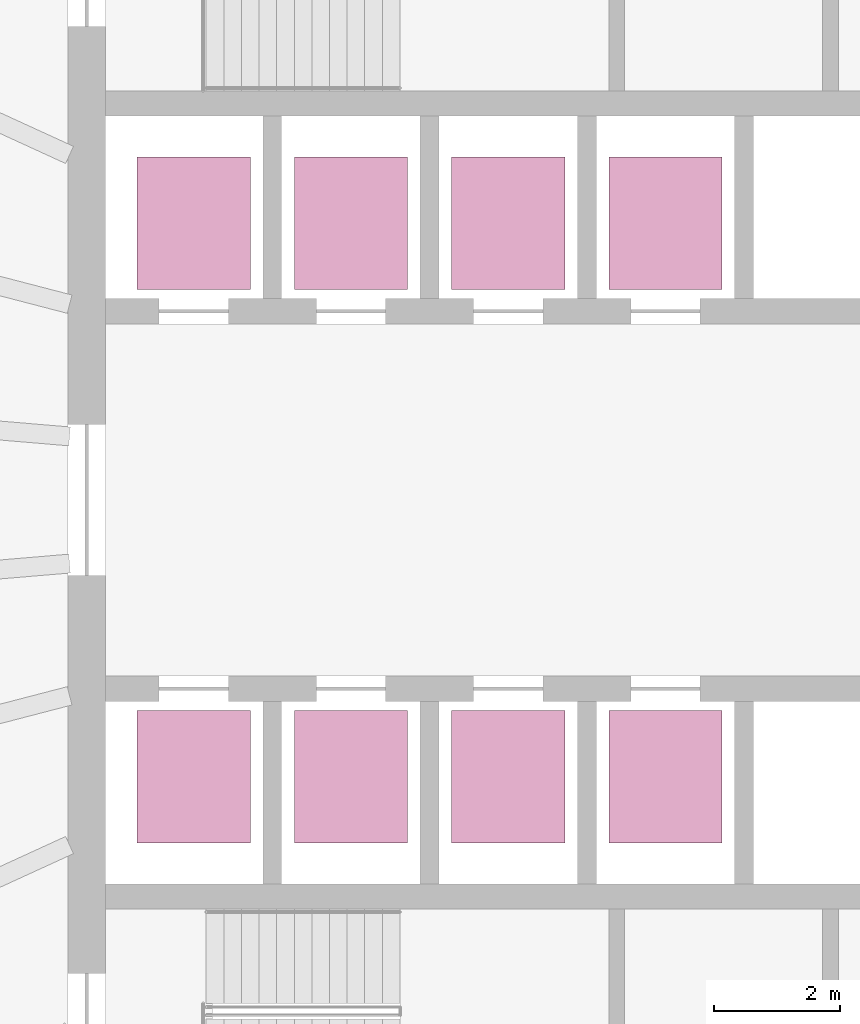
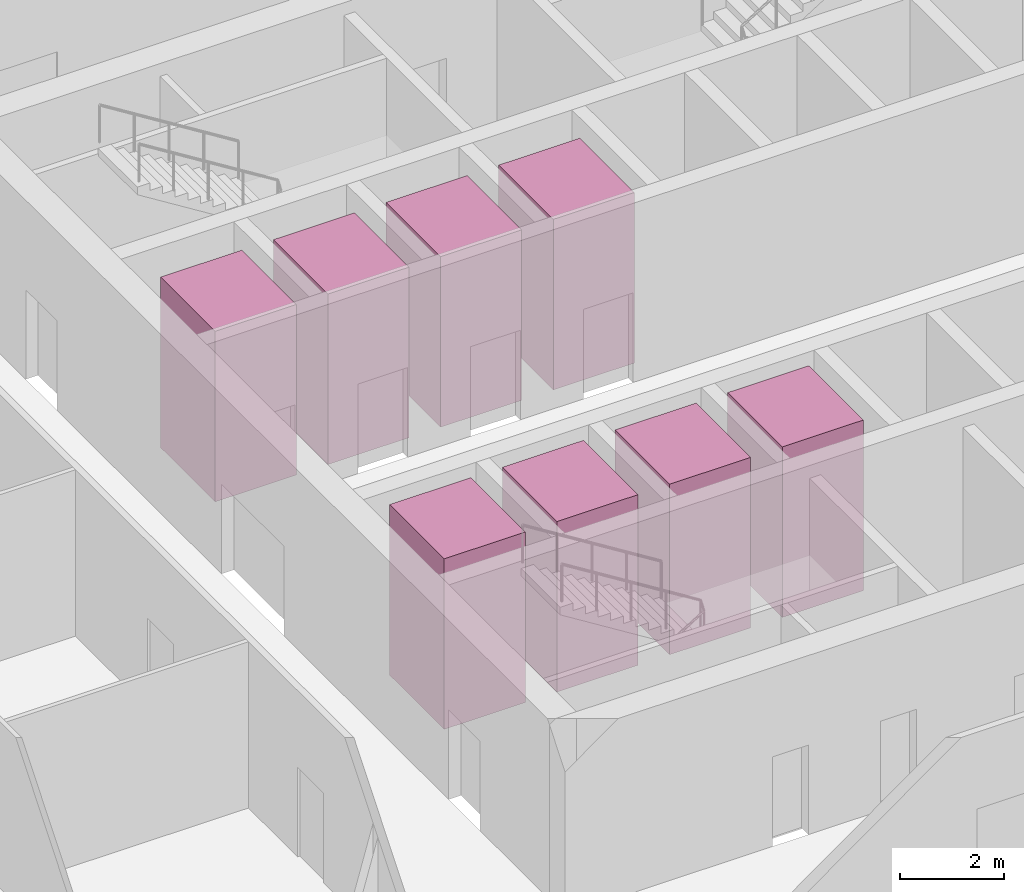
# One storey, part 10 of 10: 8 transport elements.
"""IFC4 building model written with IfcOpenShell, lengths in metres."""

from ifc_helpers import new_model, si_unit, direction, frame, origin, origin_2d, place, context, subcontext, project, spatial, rectangle, extrude, material, type_object, element, save


model = new_model("IFC4")

# Units and contexts
model_context = context("Model", 3, precision=1e-05, world=origin(), true_north=direction((0.0, 1.0)))
body_context = subcontext(model_context, "Body", "Model", "MODEL_VIEW")
ifc_project = project(units=[si_unit("LENGTHUNIT", "METRE"), si_unit("AREAUNIT", "SQUARE_METRE"), si_unit("VOLUMEUNIT", "CUBIC_METRE"), si_unit("PLANEANGLEUNIT", "RADIAN"), si_unit("MASSUNIT", "GRAM", prefix="KILO")], contexts=[model_context])

# Site, building, storey
site_placement = place(None, origin())
site = spatial("IfcSite", under=ifc_project, at=site_placement, CompositionType="ELEMENT")
building_placement = place(site_placement, origin())
building = spatial("IfcBuilding", under=site, at=building_placement, Name="Halqa Exchange Tower", CompositionType="ELEMENT")
storey_placement = place(building_placement, frame((0.0, 0.0, 108.699951171875)))
storey = spatial("IfcBuildingStorey", under=building, at=storey_placement, Name="L24", CompositionType="ELEMENT", Elevation=108.699951171875)

# Transport elements
ifc_material = material(Name="Stainless steel", Category="steel")
transport_element_type = type_object("IfcTransportElementType", Name="Low-rise passenger lift 1800 x 2100", PredefinedType="ELEVATOR", material=ifc_material)
for number, where, z_axis, x_axis, name in (
    (1, (-10.0, 4.39990234375, 0.0), (0.0, 0.0, 1.0), (1.0, 0.0, 0.0), "Low-rise passenger lift LR1"),
    (2, (-7.5, 4.39990234375, 0.0), (0.0, 0.0, 1.0), (1.0, 0.0, 0.0), "Low-rise passenger lift LR2"),
    (3, (-5.0, 4.39990234375, 0.0), (0.0, 0.0, 1.0), (1.0, 0.0, 0.0), "Low-rise passenger lift LR3"),
    (4, (-2.5, 4.39990234375, 0.0), (0.0, 0.0, 1.0), (1.0, 0.0, 0.0), "Low-rise passenger lift LR4"),
    (5, (-10.0, -4.39990234375, 0.0), (0.0, 0.0, 1.0), (1.0, 0.0, 0.0), "Low-rise passenger lift LR5"),
    (6, (-7.5, -4.39990234375, 0.0), (0.0, 0.0, 1.0), (1.0, 0.0, 0.0), "Low-rise passenger lift LR6"),
    (7, (-5.0, -4.39990234375, 0.0), (0.0, 0.0, 1.0), (1.0, 0.0, 0.0), "Low-rise passenger lift LR7"),
    (8, (-2.5, -4.39990234375, 0.0), (0.0, 0.0, 1.0), (1.0, 0.0, 0.0), "Low-rise passenger lift LR8"),
):
    element("IfcTransportElement", number, at=place(storey_placement, frame(where, z_axis=z_axis, x_axis=x_axis)), inside=storey, type_object=transport_element_type, Name=name, PredefinedType="ELEVATOR", context=body_context, shape_type="SweptSolid", body=[
        extrude(rectangle(XDim=1.800048828125, YDim=2.10009765625, at=origin_2d()), origin(), (0.0, 0.0, 1.0), 4.0),
    ])

save(model, "model.ifc")
